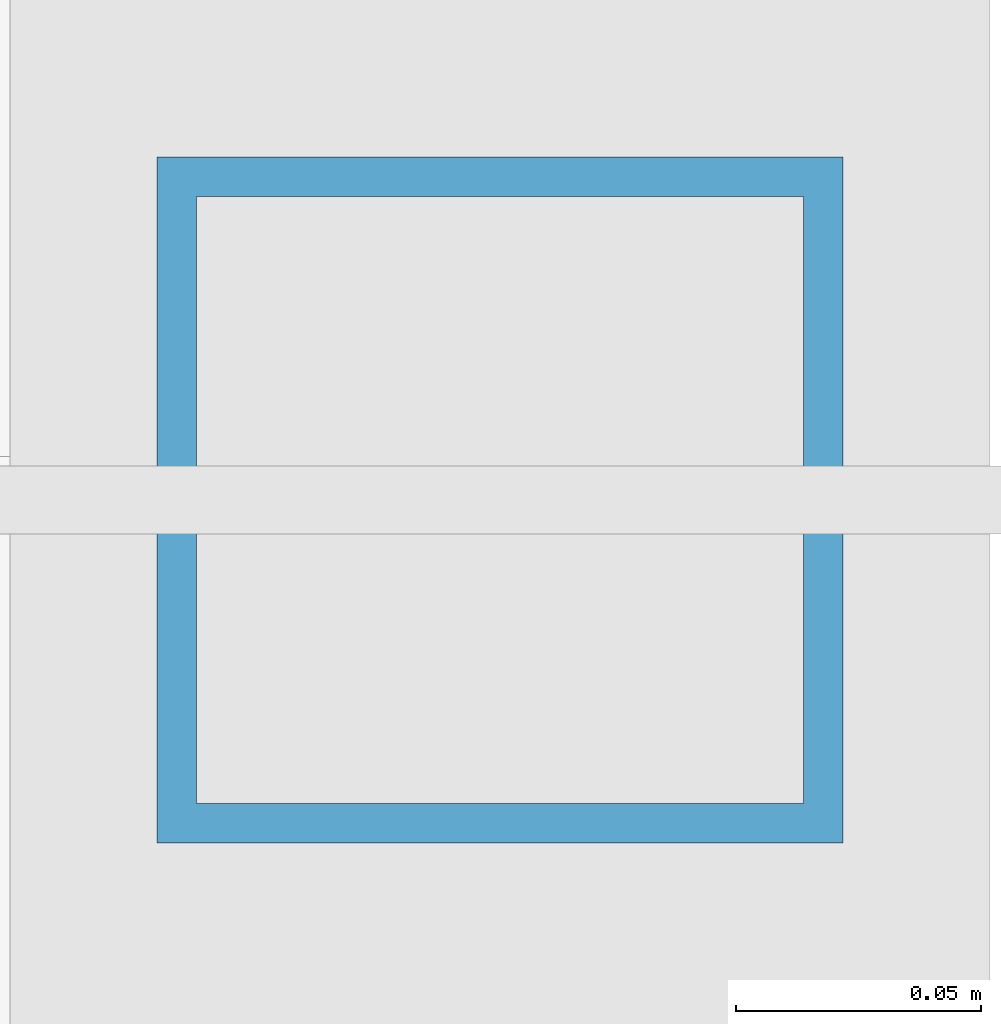
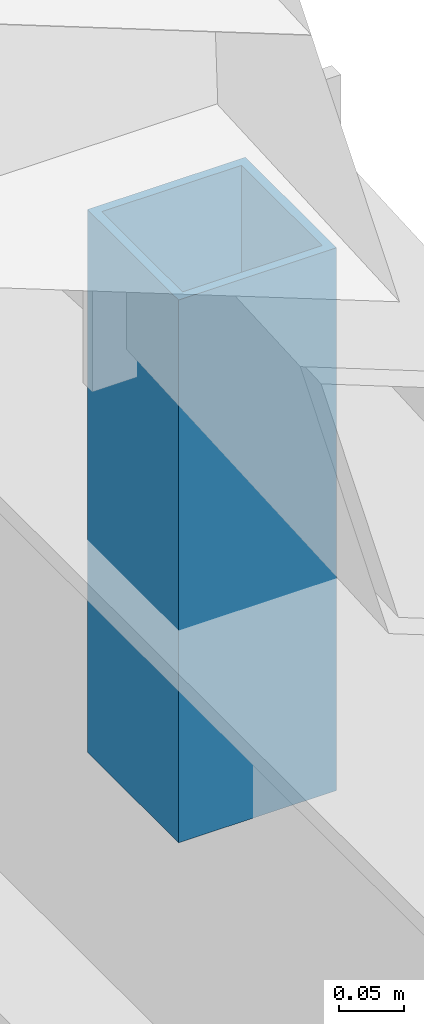
# One storey, part 4 of 13: 1 member.
"""IFC4 building model written with IfcOpenShell, lengths in metres."""

from ifc_helpers import new_model, si_unit, direction, frame, origin, origin_2d, place, context, subcontext, project, spatial, hollow_rectangle, extrude, material, material_profile, profile_set, type_object, element, save


model = new_model("IFC4")

# Units and contexts
model_context = context("Model", 3, precision=1e-05, world=origin(), true_north=direction((0.0, 1.0)))
body_context = subcontext(model_context, "Body", "Model", "MODEL_VIEW")
ifc_project = project(units=[si_unit("LENGTHUNIT", "METRE"), si_unit("AREAUNIT", "SQUARE_METRE"), si_unit("VOLUMEUNIT", "CUBIC_METRE"), si_unit("PLANEANGLEUNIT", "RADIAN"), si_unit("MASSUNIT", "GRAM", prefix="KILO")], contexts=[model_context])

# Site, building, storey
site_placement = place(None, origin())
site = spatial("IfcSite", under=ifc_project, at=site_placement, CompositionType="ELEMENT")
building_placement = place(site_placement, origin())
building = spatial("IfcBuilding", under=site, at=building_placement, Name="Celorna Specialist Clinic", CompositionType="ELEMENT")
storey_placement = place(building_placement, frame((0.0, 0.0, 27.300048828125)))
storey = spatial("IfcBuildingStorey", under=building, at=storey_placement, Name="RF", CompositionType="ELEMENT", Elevation=27.300048828125)

# Member
ifc_material = material(Name="Steel S355", Category="steel")
ifc_material_profile = material_profile(ifc_material, hollow_rectangle(XDim=0.139892578125, YDim=0.139892578125, WallThickness=0.008056640625, at=origin_2d()), Name="SHS 140x140x8")
ifc_profile_set = profile_set([ifc_material_profile], Name="Steel S355")
member_type = type_object("IfcMemberType", Name="MB-10", PredefinedType="CHORD", material=ifc_profile_set)
member_placement = place(storey_placement, frame((93.60009765625, 106.25, -0.25), z_axis=(0.0, 0.0, 1.0), x_axis=(1.0, 0.0, 0.0)))
element("IfcMember", 1, at=member_placement, inside=storey, type_object=member_type, Name="Roof ridge/eave support post ROOF-V4-SOUTH", PredefinedType="CHORD", context=body_context, shape_type="SweptSolid", body=[
    extrude(hollow_rectangle(XDim=0.139892578125, YDim=0.139892578125, WallThickness=0.008056640625, at=origin_2d()), origin(), (0.0, 0.0, 1.0), 0.508056640625),
])

save(model, "model.ifc")
